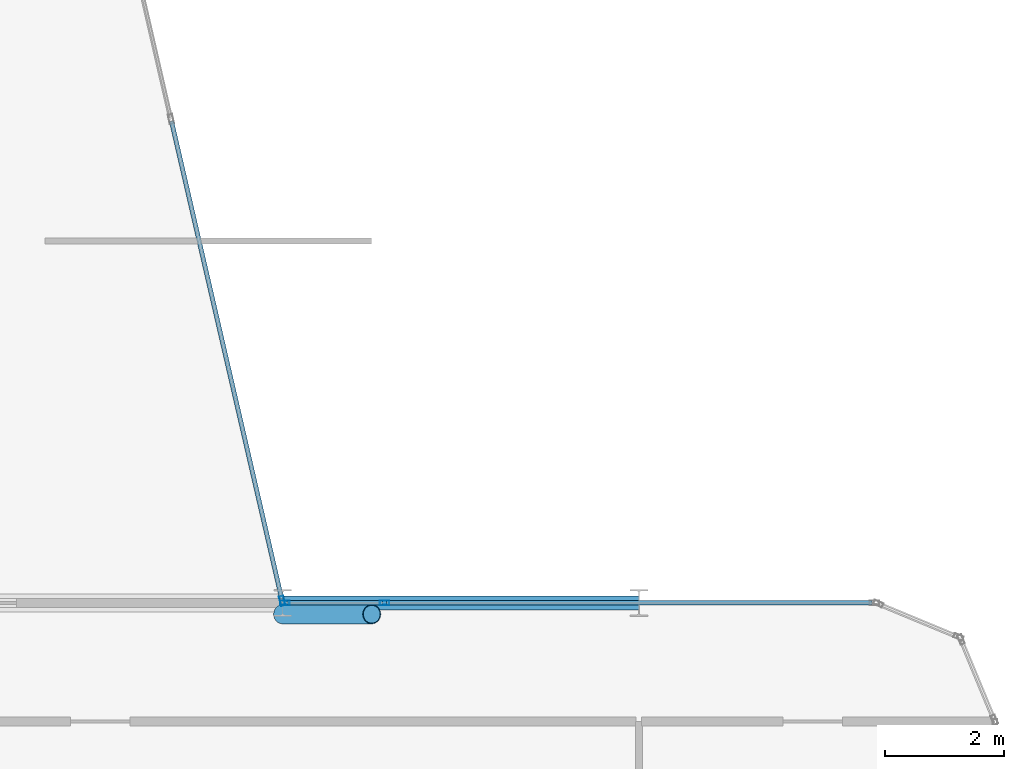
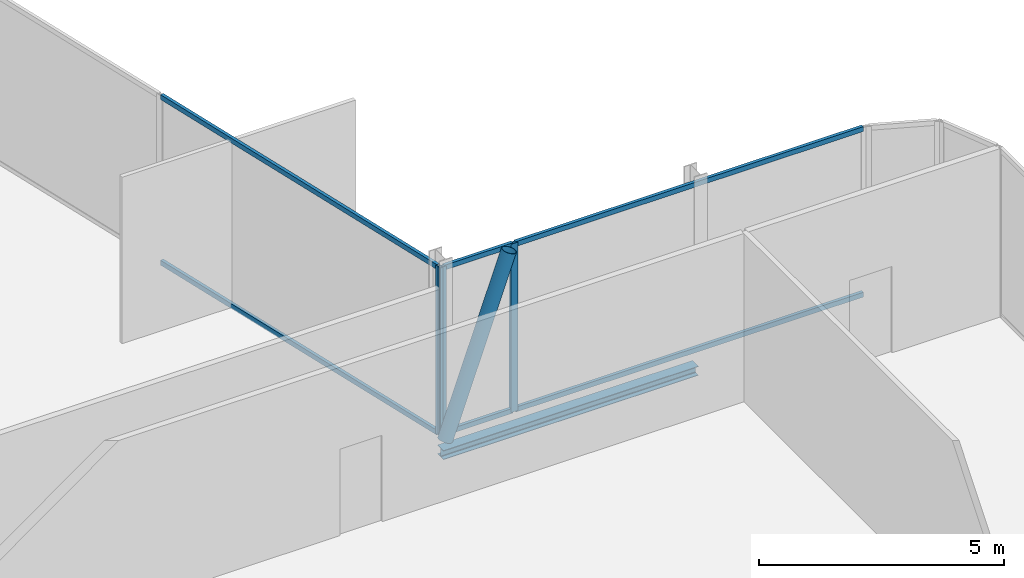
# One storey, part 16 of 31: 10 members, 1 beam, 3 elements without a shape of their own.
"""IFC4 building model written with IfcOpenShell, lengths in metres."""

from ifc_helpers import new_model, si_unit, direction, frame, origin, origin_2d, place, context, subcontext, project, spatial, hollow_rectangle, hollow_circle, i_section, extrude, material, layer, layer_set, material_profile, profile_set, type_object, element, aggregate, save


model = new_model("IFC4")

# Units and contexts
model_context = context("Model", 3, precision=1e-05, world=origin(), true_north=direction((0.0, 1.0)))
body_context = subcontext(model_context, "Body", "Model", "MODEL_VIEW")
ifc_project = project(units=[si_unit("LENGTHUNIT", "METRE"), si_unit("AREAUNIT", "SQUARE_METRE"), si_unit("VOLUMEUNIT", "CUBIC_METRE"), si_unit("PLANEANGLEUNIT", "RADIAN"), si_unit("MASSUNIT", "GRAM", prefix="KILO")], contexts=[model_context])

# Site, building, storey
site_placement = place(None, origin())
site = spatial("IfcSite", under=ifc_project, at=site_placement, CompositionType="ELEMENT")
building_placement = place(site_placement, origin())
building = spatial("IfcBuilding", under=site, at=building_placement, Name="Keshet Zoharim Tower", CompositionType="ELEMENT")
storey_placement = place(building_placement, frame((0.0, 0.0, 183.89990234375)))
storey = spatial("IfcBuildingStorey", under=building, at=storey_placement, Name="L45", CompositionType="ELEMENT", Elevation=183.89990234375)

# Beam
ifc_material_1 = material(Name="Steel S355", Category="steel")
ifc_material_profile_1 = material_profile(ifc_material_1, i_section(OverallWidth=0.239990234375, OverallDepth=0.22998046875, WebThickness=0.007568359375, FlangeThickness=0.011962890625, FilletRadius=0.02099609375, at=origin_2d()), Name="HEA240")
ifc_profile_set_1 = profile_set([ifc_material_profile_1], Name="Steel S355")
beam_type = type_object("IfcBeamType", Name="BM-LNT-HA240", PredefinedType="LINTEL", material=ifc_profile_set_1)
beam_placement = place(storey_placement, frame((45.0, 27.89990234375, -0.434814453125), z_axis=(1.0, 0.0, 0.0), x_axis=(0.0, 1.0, 0.0)))
element("IfcBeam", 1, at=beam_placement, inside=storey, type_object=beam_type, Name="L45 Primary Girder X-016", PredefinedType="LINTEL", context=body_context, shape_type="SweptSolid", body=[
    extrude(i_section(OverallWidth=0.239990234375, OverallDepth=0.22998046875, WebThickness=0.007568359375, FlangeThickness=0.011962890625, FilletRadius=0.02099609375, at=origin_2d()), origin(), (0.0, 0.0, 1.0), 6.0),
])

# Curtain wall, member
ifc_material_2 = material(Name="Aluminium 6063-T6", Category="aluminium")
ifc_layer = layer(ifc_material_2, 0.139892578125)
ifc_layer_set = layer_set([ifc_layer], Name="Aluminium 6063-T6")
curtain_wall_type = type_object("IfcCurtainWallType", Name="CW-SYS-05", PredefinedType="NOTDEFINED", material=ifc_layer_set)
curtain_wall_1_placement = place(storey_placement, origin())
curtain_wall_1 = element("IfcCurtainWall", 2, at=curtain_wall_1_placement, inside=storey, type_object=curtain_wall_type, Name="L45 Unitised Curtain Wall 04", PredefinedType="NOTDEFINED")
ifc_material_profile_2 = material_profile(ifc_material_2, hollow_rectangle(XDim=0.074951171875, YDim=0.159912109375, WallThickness=0.00390625, at=origin_2d()), Name="MUL-75x160")
ifc_profile_set_2 = profile_set([ifc_material_profile_2], Name="Aluminium 6063-T6")
member_type_1 = type_object("IfcMemberType", Name="CWM-M15", PredefinedType="MULLION", material=ifc_profile_set_2)
member_1_placement = place(storey_placement, frame((44.9921875, 27.93408203125, 0.0), z_axis=(0.0, 0.0, 1.0), x_axis=(0.974393882313, 0.224847864369, 0.0)))
member_1 = element("IfcMember", 3, at=member_1_placement, type_object=member_type_1, Name="CW-05 mullion 4", PredefinedType="MULLION", context=body_context, shape_type="SweptSolid", body=[
    extrude(hollow_rectangle(XDim=0.074951171875, YDim=0.159912109375, WallThickness=0.00390625, at=origin_2d()), origin(), (0.0, 0.0, 1.0), 4.190185546875),
])

# Curtain wall, members
curtain_wall_2_placement = place(storey_placement, origin())
curtain_wall_2 = element("IfcCurtainWall", 4, at=curtain_wall_2_placement, inside=storey, type_object=curtain_wall_type, Name="L45 Unitised Curtain Wall 05", PredefinedType="NOTDEFINED")
member_2_placement = place(storey_placement, frame((45.034912109375, 27.89990234375, 0.0), z_axis=(0.0, 0.0, 1.0), x_axis=(0.0, 1.0, 0.0)))
member_2 = element("IfcMember", 5, at=member_2_placement, type_object=member_type_1, Name="CW-05 mullion 1", PredefinedType="MULLION", context=body_context, shape_type="SweptSolid", body=[
    extrude(hollow_rectangle(XDim=0.074951171875, YDim=0.159912109375, WallThickness=0.00390625, at=origin_2d()), origin(), (0.0, 0.0, 1.0), 4.190185546875),
])
member_3_placement = place(storey_placement, frame((46.717529296875, 27.89990234375, 0.0), z_axis=(0.0, 0.0, 1.0), x_axis=(0.0, 1.0, 0.0)))
member_3 = element("IfcMember", 6, at=member_3_placement, type_object=member_type_1, Name="CW-05 mullion 2", PredefinedType="MULLION", context=body_context, shape_type="SweptSolid", body=[
    extrude(hollow_rectangle(XDim=0.074951171875, YDim=0.159912109375, WallThickness=0.00390625, at=origin_2d()), origin(), (0.0, 0.0, 1.0), 4.190185546875),
])

# Member
ifc_material_profile_3 = material_profile(ifc_material_2, hollow_rectangle(XDim=0.074951171875, YDim=0.1201171875, WallThickness=0.00390625, at=origin_2d()), Name="TRN-75x120")
ifc_profile_set_3 = profile_set([ifc_material_profile_3], Name="Aluminium 6063-T6")
member_type_2 = type_object("IfcMemberType", Name="CWT-T12", PredefinedType="USERDEFINED", material=ifc_profile_set_3)
member_4_placement = place(storey_placement, frame((43.127197265625, 36.015869140625, 0.03515625), z_axis=(0.224863824467, -0.974390199277, 0.0), x_axis=(0.974390199277, 0.224863824467, 0.0)))
member_4 = element("IfcMember", 7, at=member_4_placement, type_object=member_type_2, Name="CW-05 transom 3.1", ObjectType="TRANSOM", PredefinedType="USERDEFINED", context=body_context, shape_type="SweptSolid", body=[
    extrude(hollow_rectangle(XDim=0.074951171875, YDim=0.1201171875, WallThickness=0.00390625, at=origin_2d()), origin(), (0.0, 0.0, 1.0), 8.259033203125),
])

member_5_placement = place(storey_placement, frame((43.127197265625, 36.015869140625, 4.155029296875), z_axis=(0.224863824467, -0.974390199277, 0.0), x_axis=(0.974390199277, 0.224863824467, 0.0)))
member_5 = element("IfcMember", 8, at=member_5_placement, type_object=member_type_2, Name="CW-05 transom 3.2", ObjectType="TRANSOM", PredefinedType="USERDEFINED", context=body_context, shape_type="SweptSolid", body=[
    extrude(hollow_rectangle(XDim=0.074951171875, YDim=0.1201171875, WallThickness=0.00390625, at=origin_2d()), origin(), (0.0, 0.0, 1.0), 8.259033203125),
])

aggregate(curtain_wall_1, [member_1, member_4, member_5])

member_6_placement = place(storey_placement, frame((45.070068359375, 27.89990234375, 0.03515625), z_axis=(1.0, 0.0, 0.0), x_axis=(0.0, 1.0, 0.0)))
member_6 = element("IfcMember", 9, at=member_6_placement, type_object=member_type_2, Name="CW-05 transom 1.1", ObjectType="TRANSOM", PredefinedType="USERDEFINED", context=body_context, shape_type="SweptSolid", body=[
    extrude(hollow_rectangle(XDim=0.074951171875, YDim=0.1201171875, WallThickness=0.00390625, at=origin_2d()), origin(), (0.0, 0.0, 1.0), 1.612548828125),
])

member_7_placement = place(storey_placement, frame((45.070068359375, 27.89990234375, 4.155029296875), z_axis=(1.0, 0.0, 0.0), x_axis=(0.0, 1.0, 0.0)))
member_7 = element("IfcMember", 10, at=member_7_placement, type_object=member_type_2, Name="CW-05 transom 1.2", ObjectType="TRANSOM", PredefinedType="USERDEFINED", context=body_context, shape_type="SweptSolid", body=[
    extrude(hollow_rectangle(XDim=0.074951171875, YDim=0.1201171875, WallThickness=0.00390625, at=origin_2d()), origin(), (0.0, 0.0, 1.0), 1.612548828125),
])

aggregate(curtain_wall_2, [member_2, member_3, member_6, member_7])

# Curtain wall, members
curtain_wall_3_placement = place(storey_placement, origin())
curtain_wall_3 = element("IfcCurtainWall", 11, at=curtain_wall_3_placement, inside=storey, type_object=curtain_wall_type, Name="L45 Unitised Curtain Wall 05 Part 2", PredefinedType="NOTDEFINED")
member_8_placement = place(storey_placement, frame((46.75244140625, 27.89990234375, 0.03515625), z_axis=(1.0, 0.0, 0.0), x_axis=(0.0, 1.0, 0.0)))
member_8 = element("IfcMember", 12, at=member_8_placement, type_object=member_type_2, Name="CW-05 transom 1.1", ObjectType="TRANSOM", PredefinedType="USERDEFINED", context=body_context, shape_type="SweptSolid", body=[
    extrude(hollow_rectangle(XDim=0.074951171875, YDim=0.1201171875, WallThickness=0.00390625, at=origin_2d()), origin(), (0.0, 0.0, 1.0), 8.177490234375),
])
member_9_placement = place(storey_placement, frame((46.75244140625, 27.89990234375, 4.155029296875), z_axis=(1.0, 0.0, 0.0), x_axis=(0.0, 1.0, 0.0)))
member_9 = element("IfcMember", 13, at=member_9_placement, type_object=member_type_2, Name="CW-05 transom 1.2", ObjectType="TRANSOM", PredefinedType="USERDEFINED", context=body_context, shape_type="SweptSolid", body=[
    extrude(hollow_rectangle(XDim=0.074951171875, YDim=0.1201171875, WallThickness=0.00390625, at=origin_2d()), origin(), (0.0, 0.0, 1.0), 8.177490234375),
])
aggregate(curtain_wall_3, [member_8, member_9])

# Member
ifc_material_profile_4 = material_profile(ifc_material_1, hollow_circle(Radius=0.161865234375, WallThickness=0.012451171875, at=origin_2d()), Name="CHS323x12.5")
ifc_profile_set_4 = profile_set([ifc_material_profile_4], Name="Steel S355")
member_type_3 = type_object("IfcMemberType", Name="MB-BR-C323", PredefinedType="BRACE", material=ifc_profile_set_4)
member_10_placement = place(storey_placement, frame((45.0, 27.7099609375, 0.0), z_axis=(0.337034786684, 0.0, 0.941492194638), x_axis=(0.0, 1.0, 0.0)))
element("IfcMember", 14, at=member_10_placement, inside=storey, type_object=member_type_3, Name="L45 Perimeter Tube Brace 04", PredefinedType="BRACE", context=body_context, shape_type="SweptSolid", body=[
    extrude(hollow_circle(Radius=0.161865234375, WallThickness=0.012451171875, at=origin_2d()), origin(), (0.0, 0.0, 1.0), 4.45068359375),
])

save(model, "model.ifc")
